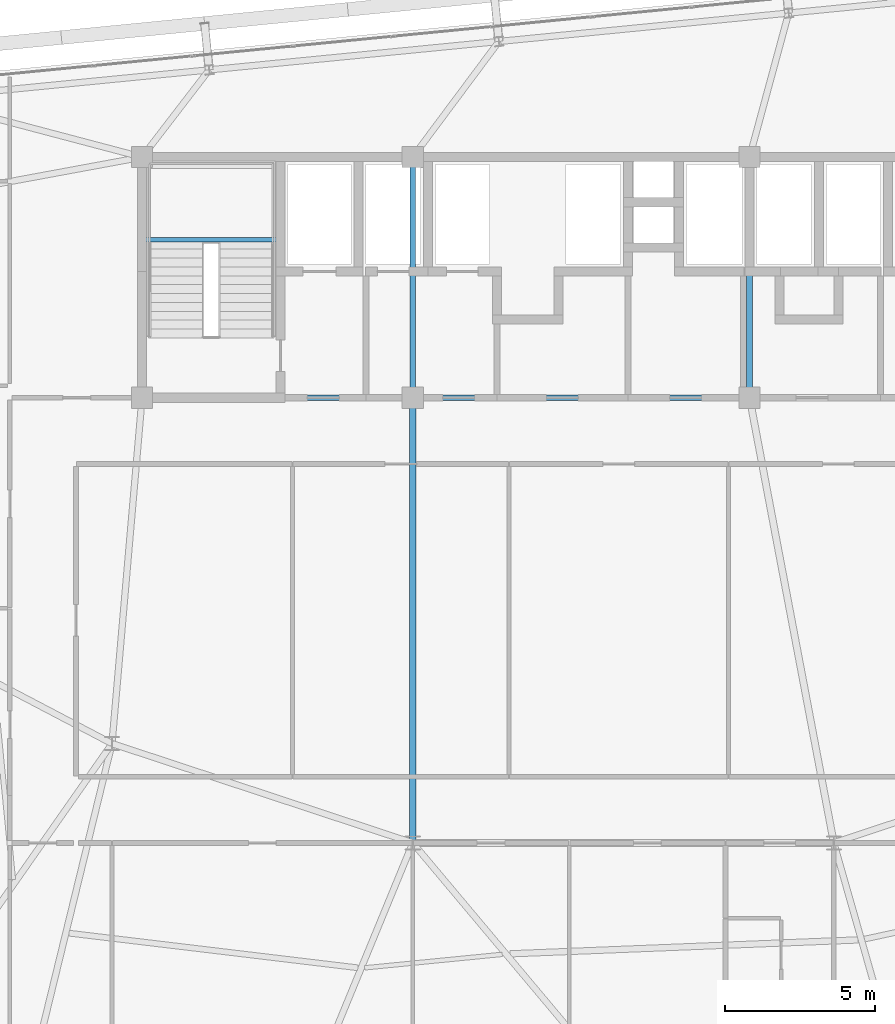
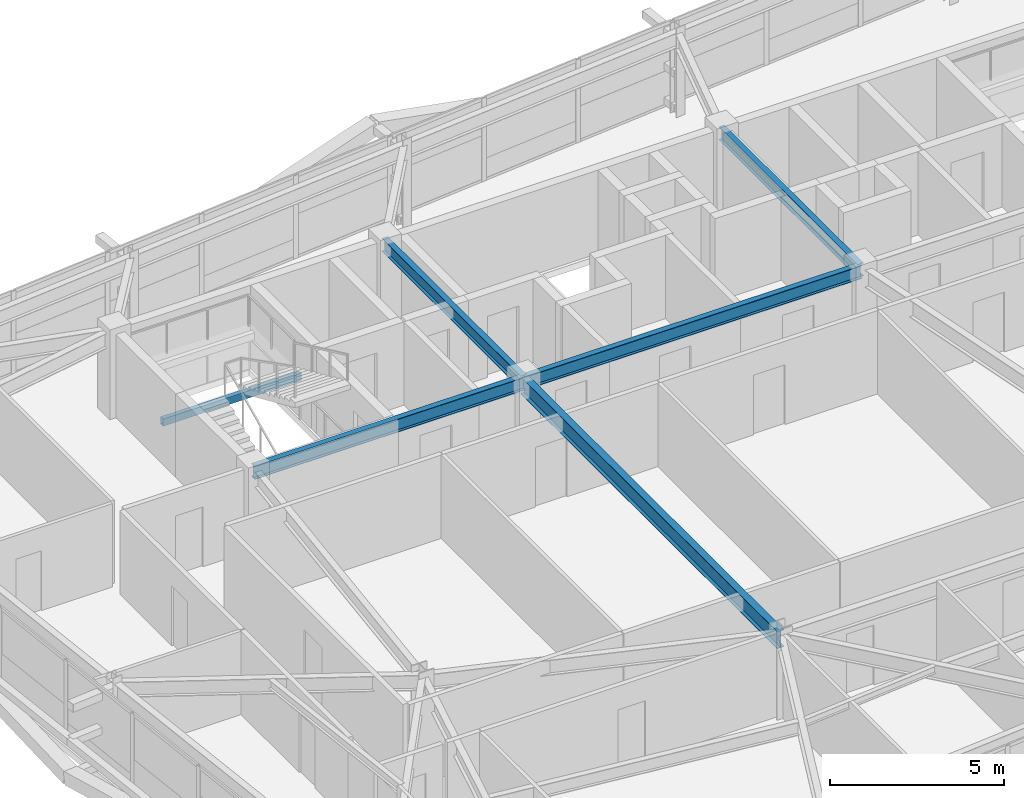
# One storey, part 16 of 52: 6 beams.
"""IFC4 building model written with IfcOpenShell, lengths in metres."""

from ifc_helpers import new_model, si_unit, direction, frame, origin, origin_2d, place, context, subcontext, project, spatial, hollow_rectangle, i_section, extrude, source, transform, mapped, material, material_profile, profile_set, type_object, element, save


model = new_model("IFC4")

# Units and contexts
model_context = context("Model", 3, precision=1e-05, world=origin(), true_north=direction((0.0, 1.0)))
body_context = subcontext(model_context, "Body", "Model", "MODEL_VIEW")
ifc_project = project(units=[si_unit("LENGTHUNIT", "METRE"), si_unit("AREAUNIT", "SQUARE_METRE"), si_unit("VOLUMEUNIT", "CUBIC_METRE"), si_unit("PLANEANGLEUNIT", "RADIAN"), si_unit("MASSUNIT", "GRAM", prefix="KILO")], contexts=[model_context])

# Site, building, storey
site_placement = place(None, origin())
site = spatial("IfcSite", under=ifc_project, at=site_placement, CompositionType="ELEMENT")
building_placement = place(site_placement, origin())
building = spatial("IfcBuilding", under=site, at=building_placement, Name="Taldren Reach Tower", CompositionType="ELEMENT")
storey_placement = place(building_placement, frame((0.0, 0.0, 96.60009765625)))
storey = spatial("IfcBuildingStorey", under=building, at=storey_placement, Name="L29", CompositionType="ELEMENT", Elevation=96.60009765625)

# Beams
ifc_material_1 = material(Name="Steel Gr 350 (350PLUS)", Category="steel")
ifc_material_profile_1 = material_profile(ifc_material_1, i_section(OverallWidth=0.19091796875, OverallDepth=0.4599609375, WebThickness=0.010009765625, FlangeThickness=0.01611328125, at=origin_2d()), Name="460UB82.1")
ifc_profile_set_1 = profile_set([ifc_material_profile_1], Name="Steel Gr 350 (350PLUS)")
beam_type_1 = type_object("IfcBeamType", Name="BM-UB460A", PredefinedType="BEAM", material=ifc_profile_set_1)
shared_shape_1 = source(origin(), body_context, "Body", "SweptSolid", [
    extrude(i_section(OverallWidth=0.19091796875, OverallDepth=0.4599609375, WebThickness=0.010009765625, FlangeThickness=0.01611328125, at=origin_2d()), origin(), (0.0, 0.0, 1.0), 9.0),
])
beam_1_placement = place(storey_placement, frame((19.0, 24.0, 2.699951171875), z_axis=(1.0, 0.0, 0.0), x_axis=(0.0, 1.0, 0.0)))
element("IfcBeam", 1, at=beam_1_placement, inside=storey, type_object=beam_type_1, Name="Core-spine girder L29-SP01", PredefinedType="BEAM", context=body_context, shape_type="MappedRepresentation", body=[
    mapped(shared_shape_1, transform((0.0, 0.0, 0.0), scale=1.0)),
])
shared_shape_2 = source(origin(), body_context, "Body", "SweptSolid", [
    extrude(i_section(OverallWidth=0.19091796875, OverallDepth=0.4599609375, WebThickness=0.010009765625, FlangeThickness=0.01611328125, at=origin_2d()), origin(), (0.0, 0.0, 1.0), 11.199951171875),
])
beam_2_placement = place(storey_placement, frame((28.0, 24.0, 2.699951171875), z_axis=(1.0, 0.0, 0.0), x_axis=(0.0, 1.0, 0.0)))
element("IfcBeam", 2, at=beam_2_placement, inside=storey, type_object=beam_type_1, Name="Core-spine girder L29-SP02", PredefinedType="BEAM", context=body_context, shape_type="MappedRepresentation", body=[
    mapped(shared_shape_2, transform((0.0, 0.0, 0.0), scale=1.0)),
])
shared_shape_3 = source(origin(), body_context, "Body", "SweptSolid", [
    extrude(i_section(OverallWidth=0.19091796875, OverallDepth=0.4599609375, WebThickness=0.010009765625, FlangeThickness=0.01611328125, at=origin_2d()), origin(), (0.0, 0.0, 1.0), 8.0),
])
for number, where, z_axis, x_axis, name in (
    (3, (28.0, 24.0, 2.699951171875), (0.0, 1.0, 0.0), (-1.0, 0.0, 0.0), "Core-spine girder L29-SP07"),
    (4, (39.199951171875, 24.0, 2.699951171875), (0.0, 1.0, 0.0), (-1.0, 0.0, 0.0), "Core-spine girder L29-SP08"),
):
    element("IfcBeam", number, at=place(storey_placement, frame(where, z_axis=z_axis, x_axis=x_axis)), inside=storey, type_object=beam_type_1, Name=name, PredefinedType="BEAM", context=body_context, shape_type="MappedRepresentation", body=[
        mapped(shared_shape_3, transform((0.0, 0.0, 0.0), scale=1.0)),
    ])
ifc_material_profile_2 = material_profile(ifc_material_1, i_section(OverallWidth=0.22802734375, OverallDepth=0.60205078125, WebThickness=0.010498046875, FlangeThickness=0.014892578125, at=origin_2d()), Name="610UB101")
ifc_profile_set_2 = profile_set([ifc_material_profile_2], Name="Steel Gr 350 (350PLUS)")
beam_type_2 = type_object("IfcBeamType", Name="BM-UB610B", PredefinedType="BEAM", material=ifc_profile_set_2)
shared_shape_4 = source(origin(), body_context, "Body", "SweptSolid", [
    extrude(i_section(OverallWidth=0.22802734375, OverallDepth=0.60205078125, WebThickness=0.010498046875, FlangeThickness=0.014892578125, at=origin_2d()), origin(), (0.0, 0.0, 1.0), 14.800048828125),
])
beam_3_placement = place(storey_placement, frame((28.0, 24.0, 2.62890625), z_axis=(0.0, -1.0, 0.0), x_axis=(1.0, 0.0, 0.0)))
element("IfcBeam", 5, at=beam_3_placement, inside=storey, type_object=beam_type_2, Name="Core-spine girder L29-SP14", PredefinedType="BEAM", context=body_context, shape_type="MappedRepresentation", body=[
    mapped(shared_shape_4, transform((0.0, 0.0, 0.0), scale=1.0)),
])
ifc_material_2 = material(Name="Steel Gr 350 (C350L0)", Category="steel")
ifc_material_profile_3 = material_profile(ifc_material_2, hollow_rectangle(XDim=0.14990234375, YDim=0.25, WallThickness=0.009033203125, at=origin_2d()), Name="250x150x9.0RHS")
ifc_profile_set_3 = profile_set([ifc_material_profile_3], Name="Steel Gr 350 (C350L0)")
beam_type_3 = type_object("IfcBeamType", Name="LN-RHS250", PredefinedType="LINTEL", material=ifc_profile_set_3)
shared_shape_5 = source(origin(), body_context, "Body", "SweptSolid", [
    extrude(hollow_rectangle(XDim=0.14990234375, YDim=0.25, WallThickness=0.009033203125, at=origin_2d()), origin(), (0.0, 0.0, 1.0), 4.60009765625),
])
beam_4_placement = place(storey_placement, frame((19.0, 29.2548828125, 1.27001953125), z_axis=(1.0, 0.0, 0.0), x_axis=(0.0, 1.0, 0.0)))
element("IfcBeam", 6, at=beam_4_placement, inside=storey, type_object=beam_type_3, Name="Stair half-landing support beam ST1-L29-1", PredefinedType="LINTEL", context=body_context, shape_type="MappedRepresentation", body=[
    mapped(shared_shape_5, transform((0.0, 0.0, 0.0), scale=1.0)),
])

save(model, "model.ifc")
